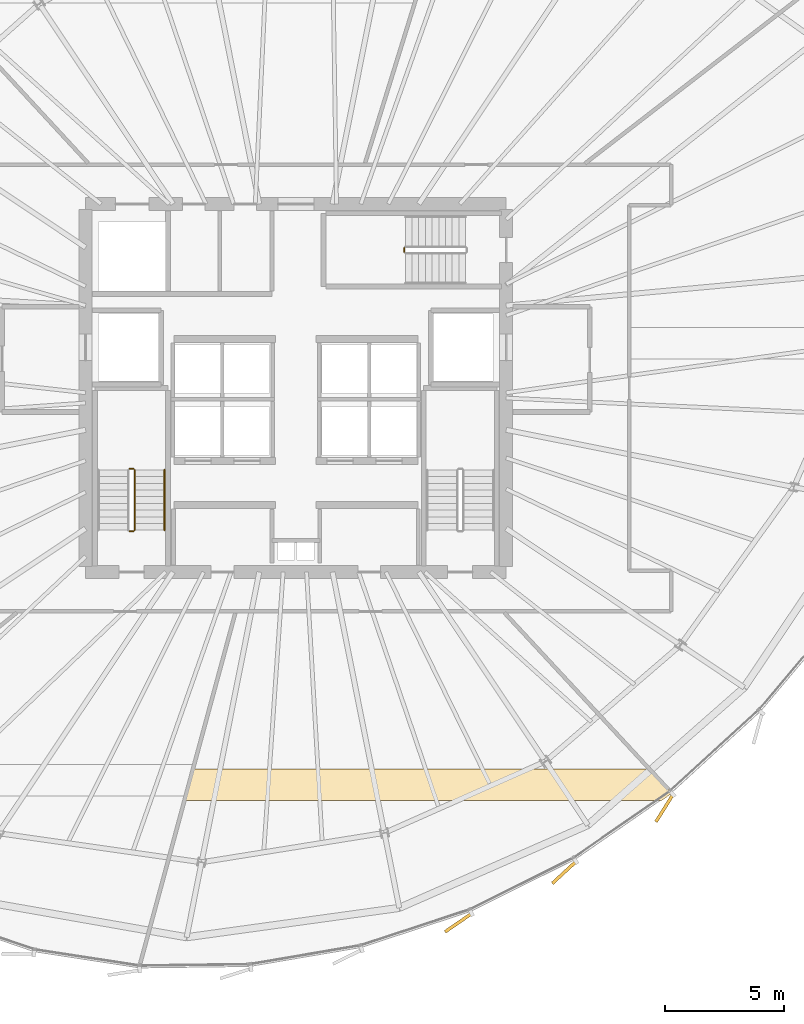
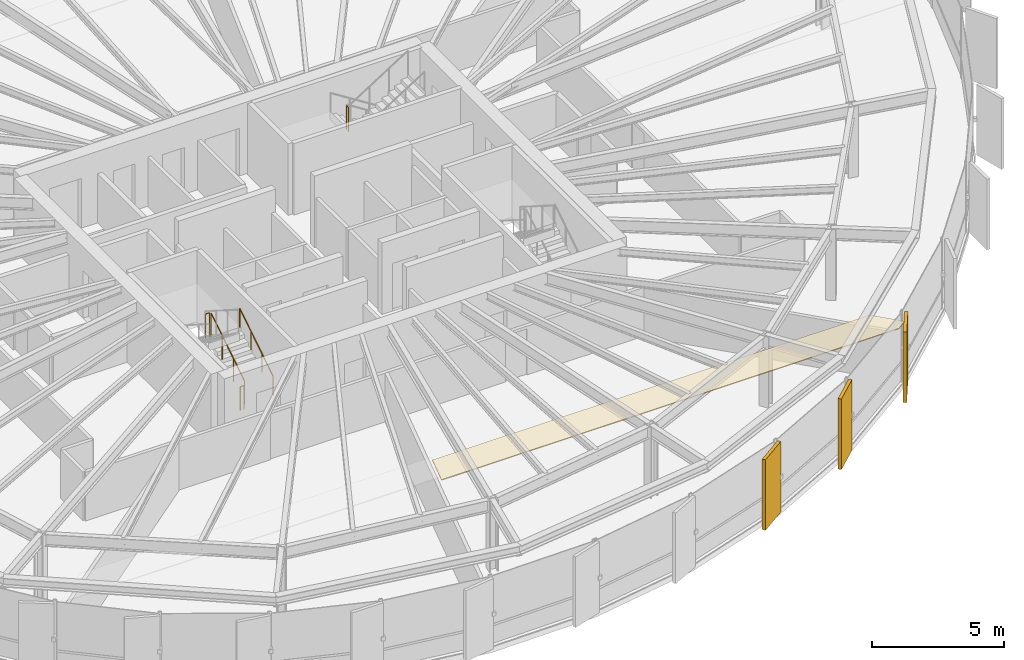
# One storey, part 30 of 32: 5 railings, 4 coverings.
"""IFC4 building model written with IfcOpenShell, lengths in metres."""

from ifc_helpers import new_model, si_unit, direction, frame, origin, origin_2d, place, context, subcontext, project, spatial, polyline, rectangle, circle, outline, extrude, source, transform, mapped, material, layer, layer_set, type_object, element, save


model = new_model("IFC4")

# Units and contexts
model_context = context("Model", 3, precision=1e-05, world=origin(), true_north=direction((0.0, 1.0)))
body_context = subcontext(model_context, "Body", "Model", "MODEL_VIEW")
ifc_project = project(units=[si_unit("LENGTHUNIT", "METRE"), si_unit("AREAUNIT", "SQUARE_METRE"), si_unit("VOLUMEUNIT", "CUBIC_METRE"), si_unit("PLANEANGLEUNIT", "RADIAN"), si_unit("MASSUNIT", "GRAM", prefix="KILO"), si_unit("THERMODYNAMICTEMPERATUREUNIT", "KELVIN")], contexts=[model_context])

# Site, building, storey
site_placement = place(None, origin())
site = spatial("IfcSite", under=ifc_project, at=site_placement, CompositionType="ELEMENT")
building_placement = place(site_placement, origin())
building = spatial("IfcBuilding", under=site, at=building_placement, Name="Kethvar Cultural Tower", CompositionType="ELEMENT")
storey_placement = place(building_placement, frame((0.0, 0.0, 157.199951171875)))
storey = spatial("IfcBuildingStorey", under=building, at=storey_placement, Name="L40", CompositionType="ELEMENT", Elevation=157.199951171875)

# Covering
ifc_material_1 = material(Name="Acoustic Mineral Fibre Ceiling")
ifc_layer_1 = layer(ifc_material_1, 0.0400390625, Name="Acoustic Mineral Fibre Ceiling")
ifc_layer_set_1 = layer_set([ifc_layer_1], Name="Acoustic Mineral Fibre Ceiling (40 mm)")
covering_type_1 = type_object("IfcCoveringType", Name="CV-ACOUSTIC-CEIL", PredefinedType="CEILING", material=ifc_layer_set_1)
covering_placement = place(storey_placement, frame((0.0, 0.0, 2.780029296875)))
element("IfcCovering", 1, at=covering_placement, inside=storey, type_object=covering_type_1, Name="L40 Room 02 Acoustic Ceiling Panel", PredefinedType="CEILING", context=body_context, shape_type="SweptSolid", body=[
    extrude(outline(polyline([(42.487548828125, 11.85791015625), (61.62109375, 11.85791015625), (62.548583984375, 10.849365234375), (62.1259765625, 10.5478515625), (42.134765625, 10.5478515625), (42.487548828125, 11.85791015625)])), origin(), (0.0, 0.0, 1.0), 0.0400390625),
])

# Railings
ifc_material_2 = material(Name="Steel S355J2", Category="steel")
railing_type_1 = type_object("IfcRailingType", Name="RL-STAIR-GUARD", PredefinedType="BALUSTRADE", material=ifc_material_2)
railing_1_placement = place(storey_placement, frame((40.050048828125, 21.85009765625, 0.177490234375)))
element("IfcRailing", 2, at=railing_1_placement, inside=storey, type_object=railing_type_1, Name="L40 ST-01 stair guard 1", PredefinedType="BALUSTRADE", context=body_context, shape_type="SweptSolid", body=[
    extrude(circle(Radius=0.02392578125, at=origin_2d()), frame((0.0, 0.0, 1.09619140625), z_axis=(0.0, 0.84456994832, 0.535445237532), x_axis=(-1.0, 0.0, 0.0)), (0.0, 0.0, 1.0), 2.98388671875),
    extrude(circle(Radius=0.02099609375, at=origin_2d()), origin(), (0.0, 0.0, 1.0), 1.072021484375),
    extrude(circle(Radius=0.02099609375, at=origin_2d()), frame((0.0, 0.840087890625, 0.532470703125)), (0.0, 0.0, 1.0), 1.072021484375),
    extrude(circle(Radius=0.02099609375, at=origin_2d()), frame((0.0, 1.679931640625, 1.065185546875)), (0.0, 0.0, 1.0), 1.072021484375),
    extrude(circle(Radius=0.02099609375, at=origin_2d()), frame((0.0, 2.52001953125, 1.59765625)), (0.0, 0.0, 1.0), 1.072021484375),
])
for number, where, name in (
    (3, (40.0, 24.419921875, 1.775146484375), "L40 ST-01 stair guard 2"),
    (4, (40.0, 21.800048828125, 0.0), "L40 ST-01 stair guard 4"),
):
    element("IfcRailing", number, at=place(storey_placement, frame(where)), inside=storey, type_object=railing_type_1, Name=name, PredefinedType="BALUSTRADE", context=body_context, shape_type="SweptSolid", body=[
        extrude(circle(Radius=0.02392578125, at=origin_2d()), frame((0.0, 0.0, 1.09619140625), z_axis=(-1.0, 0.0, 0.0), x_axis=(0.0, -1.0, 0.0)), (0.0, 0.0, 1.0), 0.159912109375),
        extrude(circle(Radius=0.02099609375, at=origin_2d()), origin(), (0.0, 0.0, 1.0), 1.072021484375),
        extrude(circle(Radius=0.02099609375, at=origin_2d()), frame((-0.159912109375, 0.0, 0.0)), (0.0, 0.0, 1.0), 1.072021484375),
    ])
railing_2_placement = place(storey_placement, frame((51.330078125, 33.659912109375, 1.775146484375)))
element("IfcRailing", 5, at=railing_2_placement, inside=storey, type_object=railing_type_1, Name="L40 ST-03 stair guard 2", PredefinedType="BALUSTRADE", context=body_context, shape_type="SweptSolid", body=[
    extrude(circle(Radius=0.02392578125, at=origin_2d()), frame((0.0, 0.0, 1.09619140625), z_axis=(0.0, -1.0, 0.0), x_axis=(1.0, 0.0, 0.0)), (0.0, 0.0, 1.0), 0.159912109375),
    extrude(circle(Radius=0.02099609375, at=origin_2d()), origin(), (0.0, 0.0, 1.0), 1.072021484375),
    extrude(circle(Radius=0.02099609375, at=origin_2d()), frame((0.0, -0.159912109375, 0.0)), (0.0, 0.0, 1.0), 1.072021484375),
])
railing_type_2 = type_object("IfcRailingType", Name="RL-STAIR-HANDRAIL", PredefinedType="HANDRAIL", material=ifc_material_2)
railing_3_placement = place(storey_placement, frame((41.300048828125, 21.85009765625, 0.177490234375)))
element("IfcRailing", 6, at=railing_3_placement, inside=storey, type_object=railing_type_2, Name="L40 ST-01 stair handrail 1", PredefinedType="HANDRAIL", context=body_context, shape_type="SweptSolid", body=[
    extrude(circle(Radius=0.02392578125, at=origin_2d()), frame((0.0, 0.0, 0.8759765625), z_axis=(0.0, 0.84456994832, 0.535445237532), x_axis=(-1.0, 0.0, 0.0)), (0.0, 0.0, 1.0), 2.98388671875),
    extrude(circle(Radius=0.02099609375, at=origin_2d()), origin(), (0.0, 0.0, 1.0), 0.851806640625),
    extrude(circle(Radius=0.02099609375, at=origin_2d()), frame((0.0, 0.840087890625, 0.532470703125)), (0.0, 0.0, 1.0), 0.851806640625),
    extrude(circle(Radius=0.02099609375, at=origin_2d()), frame((0.0, 1.679931640625, 1.065185546875)), (0.0, 0.0, 1.0), 0.851806640625),
    extrude(circle(Radius=0.02099609375, at=origin_2d()), frame((0.0, 2.52001953125, 1.59765625)), (0.0, 0.0, 1.0), 0.851806640625),
])

# Coverings
ifc_material_3 = material(Name="Extruded Architectural Terracotta", Category="masonry")
ifc_layer_2 = layer(ifc_material_3, 0.135009765625, Name="Extruded Architectural Terracotta", Category="masonry")
ifc_layer_set_2 = layer_set([ifc_layer_2], Name="Extruded Architectural Terracotta (135 mm)")
covering_type_2 = type_object("IfcCoveringType", Name="Terracotta Facade Fin FIN-02", PredefinedType="CLADDING", material=ifc_layer_set_2)
shared_shape = source(origin(), body_context, "Body", "SweptSolid", [
    extrude(rectangle(XDim=1.35009765625, YDim=0.135009765625, at=origin_2d()), origin(), (0.0, 0.0, 1.0), 3.260009765625),
])
for number, where, z_axis, x_axis, name in (
    (7, (53.59814453125, 5.423095703125, 0.02001953125), (0.0, 0.0, 1.0), (-0.824126188622, -0.566406236925, 0.0), "L40 Vertical Terracotta Fin 5.3"),
    (8, (58.028564453125, 7.52783203125, 0.02001953125), (0.0, 0.0, 1.0), (-0.735387860781, -0.67764643747, 0.0), "L40 Vertical Terracotta Fin 5.4"),
    (9, (62.225830078125, 10.218505859375, 0.02001953125), (0.0, 0.0, 1.0), (-0.528586500185, -0.848879444811, 0.0), "L40 Vertical Terracotta Fin 5.5"),
):
    element("IfcCovering", number, at=place(storey_placement, frame(where, z_axis=z_axis, x_axis=x_axis)), inside=storey, type_object=covering_type_2, Name=name, PredefinedType="CLADDING", context=body_context, shape_type="MappedRepresentation", body=[
        mapped(shared_shape, transform((0.0, 0.0, 0.0), scale=1.0)),
    ])

save(model, "model.ifc")
